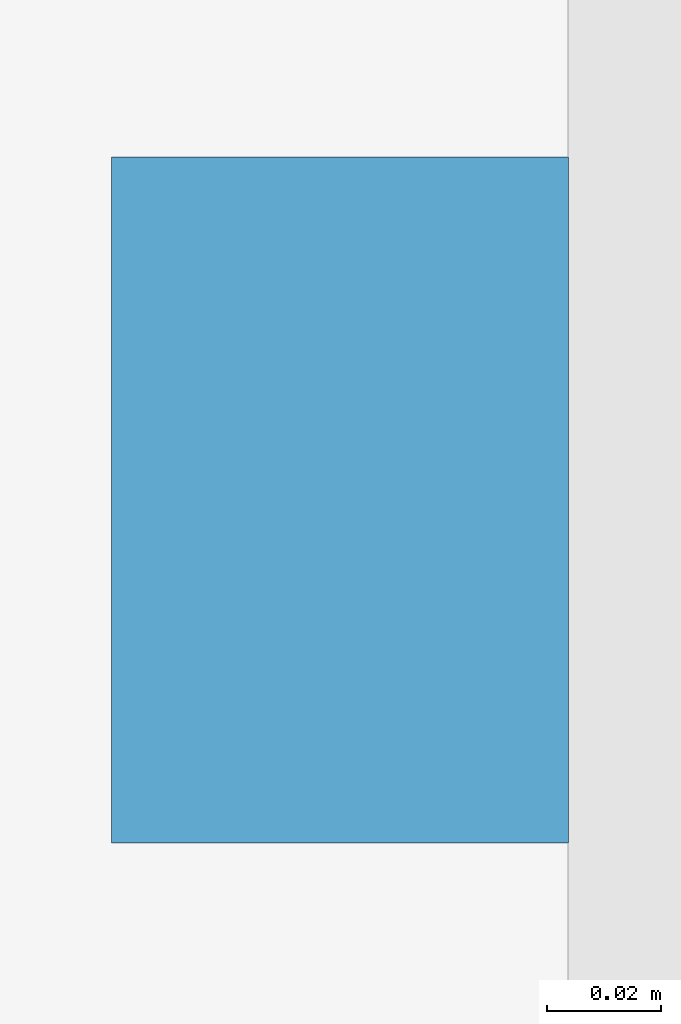
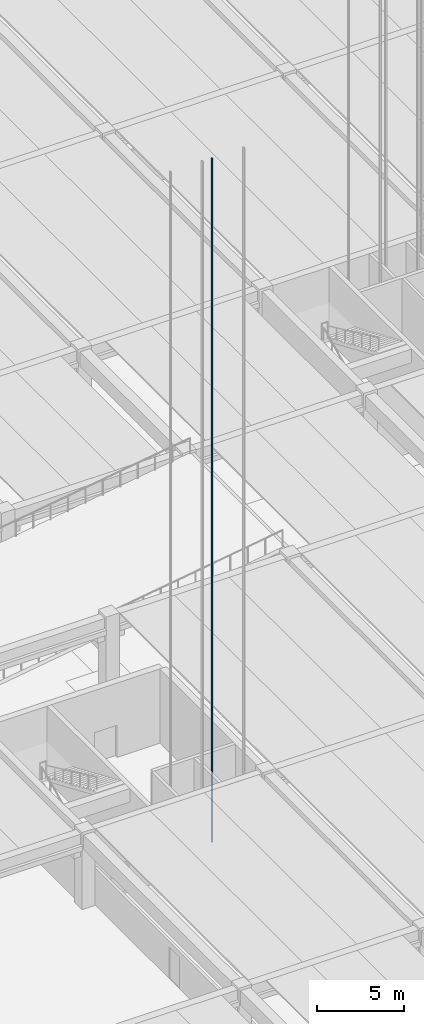
# One storey, part 35 of 59: 1 discrete accessory.
"""IFC4 building model written with IfcOpenShell, lengths in metres."""

from ifc_helpers import new_model, si_unit, direction, frame, origin, origin_2d, place, context, subcontext, project, spatial, rectangle, extrude, material, type_object, element, save


model = new_model("IFC4")

# Units and contexts
model_context = context("Model", 3, precision=1e-05, world=origin(), true_north=direction((0.0, 1.0)))
body_context = subcontext(model_context, "Body", "Model", "MODEL_VIEW")
ifc_project = project(units=[si_unit("LENGTHUNIT", "METRE"), si_unit("AREAUNIT", "SQUARE_METRE"), si_unit("VOLUMEUNIT", "CUBIC_METRE"), si_unit("PLANEANGLEUNIT", "RADIAN"), si_unit("MASSUNIT", "GRAM", prefix="KILO")], contexts=[model_context])

# Site, building, storey
site_placement = place(None, origin())
site = spatial("IfcSite", under=ifc_project, at=site_placement, CompositionType="ELEMENT")
building_placement = place(site_placement, origin())
building = spatial("IfcBuilding", under=site, at=building_placement, Name="Girod Span Mobility Hub", CompositionType="ELEMENT")
storey_placement = place(building_placement, origin())
storey = spatial("IfcBuildingStorey", under=building, at=storey_placement, Name="L00", CompositionType="ELEMENT", Elevation=0.0)

# Discrete accessory
ifc_material = material(Name="Steel A992 Grade 50", Category="steel")
discrete_accessory_type = type_object("IfcDiscreteAccessoryType", Name="ACC-LFT-RAIL", PredefinedType="USERDEFINED", material=ifc_material)
discrete_accessory_placement = place(storey_placement, frame((81.4150390625, 28.699951171875, 0.0), z_axis=(0.0, 0.0, 1.0), x_axis=(1.0, 0.0, 0.0)))
element("IfcDiscreteAccessory", 1, at=discrete_accessory_placement, inside=storey, type_object=discrete_accessory_type, Name="Hoistway Guide Rail LP-6-W", ObjectType="GUIDE RAIL", PredefinedType="USERDEFINED", context=body_context, shape_type="SweptSolid", body=[
    extrude(rectangle(XDim=0.080078125, YDim=0.1201171875, at=origin_2d()), origin(), (0.0, 0.0, 1.0), 47.949951171875),
])

save(model, "model.ifc")
